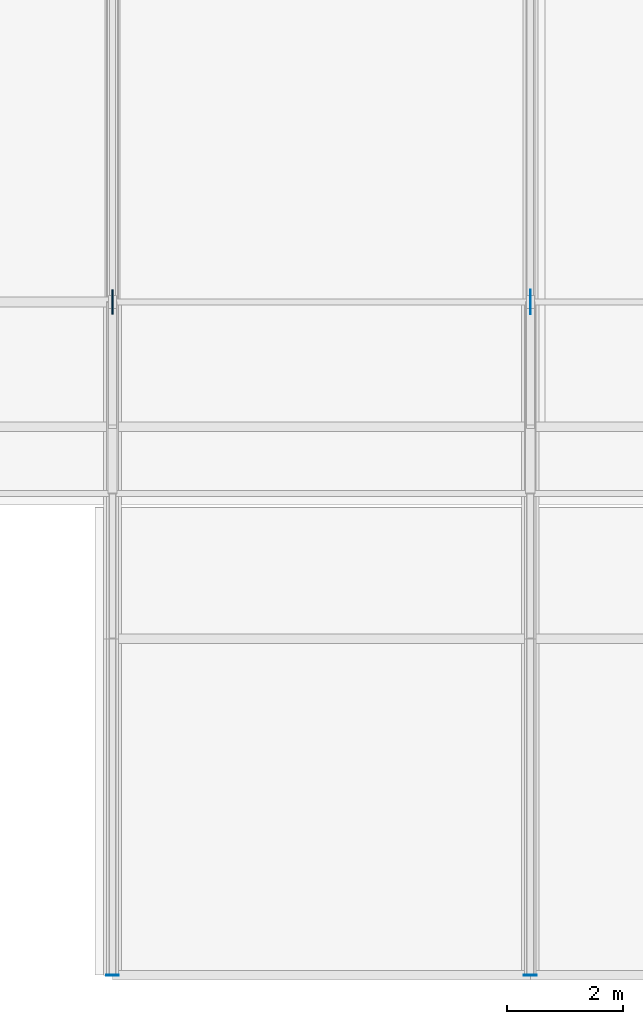
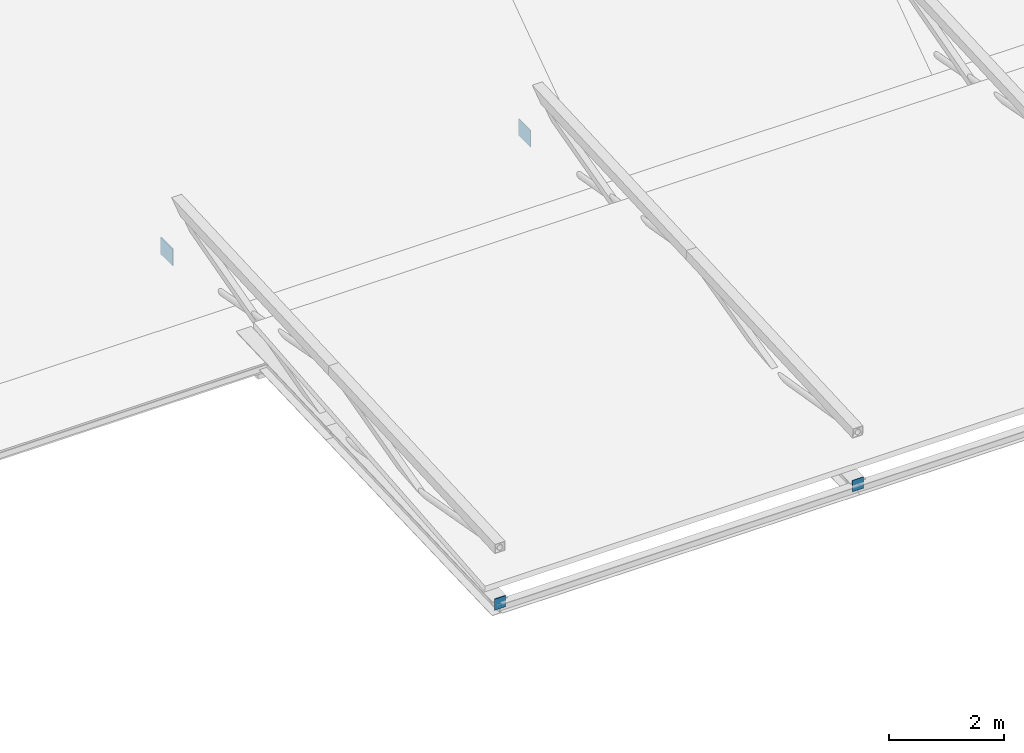
# One storey, part 58 of 100: 4 plates.
"""IFC4 building model written with IfcOpenShell, lengths in metres."""

import ifcopenshell
import ifcopenshell.guid

model = None  # the IFC model being written
_history = None  # IfcOwnerHistory: only IFC2X3 demands one
_inside = {}  # id of a spatial element -> (the spatial element, [elements in it])
_under = {}  # id of a project, library or spatial element -> (it, [spatial elements below it])
_declared = {}  # id of a project -> (the project, [libraries it declares])
_typed = {}  # id of a type object -> (the type object, [elements of that type])
_made_of = {}  # id of a material, layer set ... -> (it, [elements and type objects made of it])


def new_model(schema):
    """Start an empty IFC model of exactly this schema.

    Asked for "IFC4X3", IfcOpenShell would pick the latest addendum, in which some entities
    have other attributes; the version numbers below select the first issue.
    IFC2X3 requires an IfcOwnerHistory on every rooted entity: one is made here for all.
    """
    global model, _history
    if schema == "IFC4X3":
        model = ifcopenshell.file(schema_version=(4, 3, 0, 0))
    else:
        model = ifcopenshell.file(schema=schema)
    _inside.clear()
    _under.clear()
    _declared.clear()
    _typed.clear()
    _made_of.clear()
    _history = None
    if model.schema == "IFC2X3":
        org = make("IfcOrganization", Name="unknown")
        user = make(
            "IfcPersonAndOrganization",
            ThePerson=make("IfcPerson", FamilyName="unknown"),
            TheOrganization=org,
        )
        app = make(
            "IfcApplication",
            ApplicationDeveloper=org,
            Version="unknown",
            ApplicationFullName="unknown",
            ApplicationIdentifier="unknown",
        )
        _history = make(
            "IfcOwnerHistory",
            OwningUser=user,
            OwningApplication=app,
            ChangeAction="ADDED",
            CreationDate=0,
        )
    return model


def make(cls, **values):
    """One entity of the class cls with the attributes given. An attribute that is None is left unset."""
    return model.create_entity(
        cls, **{name: value for name, value in values.items() if value is not None}
    )


def rooted(cls, **values):
    """An entity with a GlobalId (a new one), such as an element, a storey or a relation."""
    return make(cls, GlobalId=ifcopenshell.guid.new(), OwnerHistory=_history, **values)


def si_unit(unit_type, name, prefix=None):
    """IfcSIUnit, for example si_unit("LENGTHUNIT", "METRE", prefix="MILLI")."""
    return make("IfcSIUnit", UnitType=unit_type, Prefix=prefix, Name=name)


def assignment(units):
    """IfcUnitAssignment: the units of a project."""
    return None if units is None else make("IfcUnitAssignment", Units=units)


def point(xyz):
    """IfcCartesianPoint."""
    return None if xyz is None else make("IfcCartesianPoint", Coordinates=xyz)


def direction(xyz):
    """IfcDirection."""
    return None if xyz is None else make("IfcDirection", DirectionRatios=xyz)


def frame(location, z_axis=None, x_axis=None):
    """IfcAxis2Placement3D, a coordinate frame: its origin and axes. An axis left out is left unset."""
    return make(
        "IfcAxis2Placement3D",
        Location=point(location),
        Axis=direction(z_axis),
        RefDirection=direction(x_axis),
    )


def frame_2d(location, x_axis=None):
    """IfcAxis2Placement2D, a coordinate frame in the plane: its origin and x axis."""
    return make(
        "IfcAxis2Placement2D", Location=point(location), RefDirection=direction(x_axis)
    )


def origin():
    """The frame at (0, 0, 0) with its axes left unset."""
    return frame((0.0, 0.0, 0.0))


def origin_2d():
    """The frame at (0, 0) in the plane with its x axis left unset."""
    return frame_2d((0.0, 0.0))


def place(relative_to, where):
    """IfcLocalPlacement: puts the frame where relative to a parent placement (None: the world)."""
    return make(
        "IfcLocalPlacement", PlacementRelTo=relative_to, RelativePlacement=where
    )


def context(
    kind, dimensions, precision=None, world=None, true_north=None, identifier=None
):
    """IfcGeometricRepresentationContext, for example the 3D "Model" context."""
    return make(
        "IfcGeometricRepresentationContext",
        ContextIdentifier=identifier,
        ContextType=kind,
        CoordinateSpaceDimension=dimensions,
        Precision=precision,
        WorldCoordinateSystem=world,
        TrueNorth=true_north,
    )


def subcontext(parent, identifier, kind, view, scale=None):
    """IfcGeometricRepresentationSubContext, for example "Body" below "Model"."""
    return make(
        "IfcGeometricRepresentationSubContext",
        ContextIdentifier=identifier,
        ContextType=kind,
        ParentContext=parent,
        TargetScale=scale,
        TargetView=view,
    )


def project(units=None, contexts=None):
    """IfcProject with its units and contexts."""
    return rooted(
        "IfcProject",
        Name="project",
        RepresentationContexts=contexts,
        UnitsInContext=assignment(units),
    )


def spatial(cls, under=None, at=None, **own):
    """A site, building, storey or space (cls), placed at a placement, below another one or the project."""
    s = rooted(cls, ObjectPlacement=at, **own)
    if under is not None:
        _under.setdefault(under.id(), (under, []))[1].append(s)
    return s


def profile(cls, at=None, kind="AREA", **sizes):
    """A parametric profile (cls). Its sizes go by their IFC names, for example OverallWidth=200.0."""
    return make(cls, ProfileType=kind, Position=at, **sizes)


def rectangle(**sizes):
    """IfcRectangleProfileDef."""
    return profile("IfcRectangleProfileDef", **sizes)


def extrude(swept, where, along, depth):
    """IfcExtrudedAreaSolid: the profile swept, set in the frame where, extruded along a direction by depth."""
    return make(
        "IfcExtrudedAreaSolid",
        SweptArea=swept,
        Position=where,
        ExtrudedDirection=direction(along),
        Depth=depth,
    )


def shape(context_of_items, identifier, shape_type, items):
    """IfcShapeRepresentation: the items that make up one representation, for example the "Body"."""
    return make(
        "IfcShapeRepresentation",
        ContextOfItems=context_of_items,
        RepresentationIdentifier=identifier,
        RepresentationType=shape_type,
        Items=items,
    )


def material(Name=None, Category=None):
    """IfcMaterial."""
    return make("IfcMaterial", Name=Name, Category=Category)


def layer(
    of_material, thickness, ventilated=None, Name=None, Category=None, Priority=None
):
    """IfcMaterialLayer: one layer of a wall or slab, of a material (None: an air gap)."""
    return make(
        "IfcMaterialLayer",
        Material=of_material,
        LayerThickness=thickness,
        IsVentilated=ventilated,
        Name=Name,
        Category=Category,
        Priority=Priority,
    )


def layer_set(layers, Name=None):
    """IfcMaterialLayerSet."""
    return make("IfcMaterialLayerSet", MaterialLayers=layers, LayerSetName=Name)


def made_of(thing, what):
    """Note that an element or type object is made of a material, layer set ...; save() writes the relation."""
    if what is not None:
        _made_of.setdefault(what.id(), (what, []))[1].append(thing)
    return thing


def type_object(cls, material=None, **own):
    """A type object (cls), such as IfcWallType, which elements share."""
    return made_of(rooted(cls, **own), material)


def element(
    cls,
    number,
    at=None,
    inside=None,
    cuts=None,
    type_object=None,
    material=None,
    context=None,
    identifier="Body",
    shape_type=None,
    held_by="IfcProductDefinitionShape",
    body=None,
    shapes=None,
    **own,
):
    """One element of the class cls, such as IfcWall. Its Tag is "e" and its number.

    at: its placement. inside: the storey or other place that contains it. cuts: it is an
    opening in that element (IfcRelVoidsElement). A single representation is given by context,
    identifier, shape_type and body (its items); several are given by shapes. held_by: the class
    of the entity that holds the representations. save() writes the other relations.
    """
    e = rooted(cls, Tag="e%d" % number, ObjectPlacement=at, **own)
    if body is not None:
        shapes = [shape(context, identifier, shape_type, body)]
    if shapes is not None:
        e.Representation = make(held_by, Representations=shapes)
    if inside is not None:
        _inside.setdefault(inside.id(), (inside, []))[1].append(e)
    if cuts is not None:
        rooted(
            "IfcRelVoidsElement", RelatingBuildingElement=cuts, RelatedOpeningElement=e
        )
    if type_object is not None:
        _typed.setdefault(type_object.id(), (type_object, []))[1].append(e)
    return made_of(e, material)


def aggregate(whole, parts):
    """IfcRelAggregates: a whole, such as a stair, and the parts it consists of."""
    return rooted("IfcRelAggregates", RelatingObject=whole, RelatedObjects=parts)


def save(model, path):
    """Write the relations noted so far, then the file.

    IfcRelAggregates (storeys below a building ...), IfcRelContainedInSpatialStructure (elements
    in a storey), IfcRelDefinesByType, IfcRelAssociatesMaterial and IfcRelDeclares: one each for
    every whole, place, type object, material and project.
    """
    for whole, parts in _under.values():
        aggregate(whole, parts)
    for where, things in _inside.values():
        rooted(
            "IfcRelContainedInSpatialStructure",
            RelatedElements=things,
            RelatingStructure=where,
        )
    for kind, things in _typed.values():
        rooted("IfcRelDefinesByType", RelatedObjects=things, RelatingType=kind)
    for what, things in _made_of.values():
        rooted("IfcRelAssociatesMaterial", RelatedObjects=things, RelatingMaterial=what)
    for by, libraries in _declared.values():
        rooted("IfcRelDeclares", RelatingContext=by, RelatedDefinitions=libraries)
    model.write(path)


model = new_model("IFC4")

# Units and contexts
model_context = context("Model", 3, precision=1e-05, world=origin(), true_north=direction((0.0, 1.0)))
body_context = subcontext(model_context, "Body", "Model", "MODEL_VIEW")
ifc_project = project(units=[si_unit("LENGTHUNIT", "METRE"), si_unit("AREAUNIT", "SQUARE_METRE"), si_unit("VOLUMEUNIT", "CUBIC_METRE"), si_unit("PLANEANGLEUNIT", "RADIAN"), si_unit("MASSUNIT", "GRAM", prefix="KILO")], contexts=[model_context])

# Site, building, storey
site_placement = place(None, origin())
site = spatial("IfcSite", under=ifc_project, at=site_placement, CompositionType="ELEMENT")
building_placement = place(site_placement, origin())
building = spatial("IfcBuilding", under=site, at=building_placement, Name="Steenspoor Specialist Clinic", CompositionType="ELEMENT")
storey_placement = place(building_placement, frame((0.0, 0.0, 9.0)))
storey = spatial("IfcBuildingStorey", under=building, at=storey_placement, Name="L02", CompositionType="ELEMENT", Elevation=9.0)

# Plates
ifc_material = material(Name="Steel A572 Grade 50", Category="steel")
ifc_layer_1 = layer(ifc_material, 0.010009765625)
ifc_layer_set_1 = layer_set([ifc_layer_1], Name="Steel A572 Grade 50")
plate_type_1 = type_object("IfcPlateType", Name="PL-CAP-10", PredefinedType="SHEET", material=ifc_layer_set_1)
plate_1_placement = place(storey_placement, frame((74.0, 13.050048828125, 0.1015625), z_axis=(0.0, 0.0, 1.0), x_axis=(1.0, 0.0, 0.0)))
element("IfcPlate", 1, at=plate_1_placement, inside=storey, type_object=plate_type_1, Name="Truss Gusset Plate GP-10", PredefinedType="SHEET", context=body_context, shape_type="SweptSolid", body=[
    extrude(rectangle(XDim=0.010009765625, YDim=0.419921875, at=origin_2d()), origin(), (0.0, 0.0, 1.0), 0.360107421875),
])
ifc_layer_2 = layer(ifc_material, 0.011962890625)
ifc_layer_set_2 = layer_set([ifc_layer_2], Name="Steel A572 Grade 50")
plate_type_2 = type_object("IfcPlateType", Name="PL-CAP-12", PredefinedType="SHEET", material=ifc_layer_set_2)
for number, where, z_axis, x_axis, name in (
    (2, (66.800048828125, 1.449951171875, -0.2783203125), (0.0, 0.0, 1.0), (1.0, 0.0, 0.0), "HSS End Cap Plate 11"),
    (3, (74.0, 1.449951171875, -0.2783203125), (0.0, 0.0, 1.0), (1.0, 0.0, 0.0), "HSS End Cap Plate 14"),
):
    element("IfcPlate", number, at=place(storey_placement, frame(where, z_axis=z_axis, x_axis=x_axis)), inside=storey, type_object=plate_type_2, Name=name, PredefinedType="SHEET", context=body_context, shape_type="SweptSolid", body=[
        extrude(rectangle(XDim=0.219970703125, YDim=0.011962890625, at=origin_2d()), origin(), (0.0, 0.0, 1.0), 0.239990234375),
    ])
ifc_layer_3 = layer(ifc_material, 0.02001953125)
ifc_layer_set_3 = layer_set([ifc_layer_3], Name="Steel A572 Grade 50")
plate_type_3 = type_object("IfcPlateType", Name="PL-SPL-20", PredefinedType="SHEET", material=ifc_layer_set_3)
plate_2_placement = place(storey_placement, frame((66.800048828125, 13.050048828125, 0.1015625), z_axis=(0.0, 0.0, 1.0), x_axis=(1.0, 0.0, 0.0)))
element("IfcPlate", 4, at=plate_2_placement, inside=storey, type_object=plate_type_3, Name="Truss Gusset Plate GP-20", PredefinedType="SHEET", context=body_context, shape_type="SweptSolid", body=[
    extrude(rectangle(XDim=0.02001953125, YDim=0.419921875, at=origin_2d()), origin(), (0.0, 0.0, 1.0), 0.360107421875),
])

save(model, "model.ifc")
